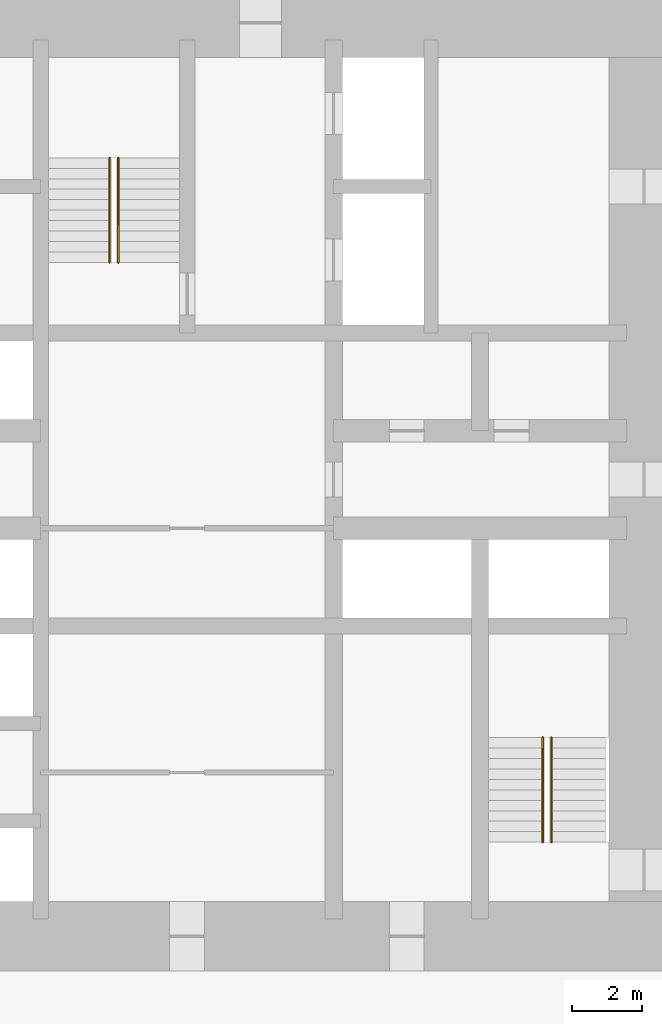
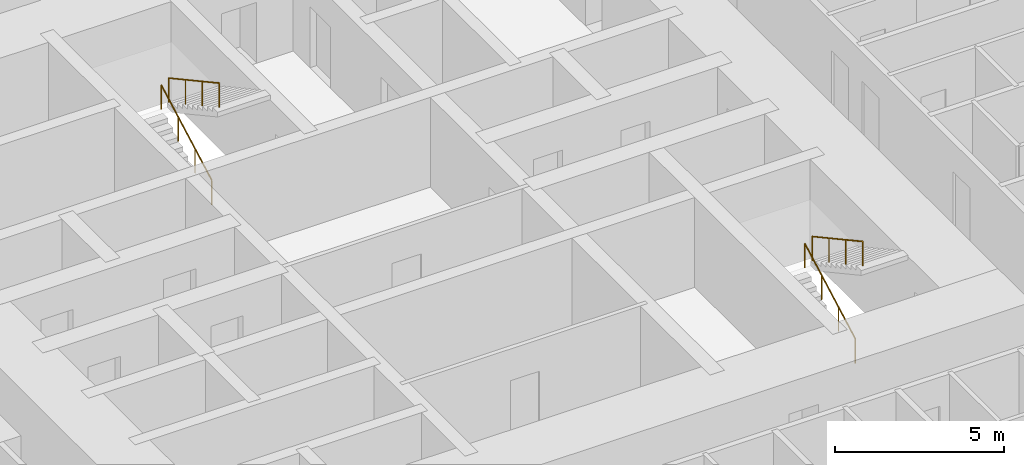
# One storey, part 18 of 18: 4 railings.
"""IFC4 building model written with IfcOpenShell, lengths in metres."""

from ifc_helpers import new_model, si_unit, direction, frame, origin, origin_2d, place, context, subcontext, project, spatial, circle, extrude, material, type_object, element, save


model = new_model("IFC4")

# Units and contexts
model_context = context("Model", 3, precision=1e-05, world=origin(), true_north=direction((0.0, 1.0)))
body_context = subcontext(model_context, "Body", "Model", "MODEL_VIEW")
ifc_project = project(units=[si_unit("LENGTHUNIT", "METRE"), si_unit("AREAUNIT", "SQUARE_METRE"), si_unit("VOLUMEUNIT", "CUBIC_METRE"), si_unit("PLANEANGLEUNIT", "RADIAN"), si_unit("MASSUNIT", "GRAM", prefix="KILO")], contexts=[model_context])

# Site, building, storey
site_placement = place(None, origin())
site = spatial("IfcSite", under=ifc_project, at=site_placement, CompositionType="ELEMENT")
building_placement = place(site_placement, origin())
building = spatial("IfcBuilding", under=site, at=building_placement, Name="Dunama Terrace Hotel", CompositionType="ELEMENT")
storey_placement = place(building_placement, frame((0.0, 0.0, 27.0)))
storey = spatial("IfcBuildingStorey", under=building, at=storey_placement, Name="L05", CompositionType="ELEMENT", Elevation=27.0)

# Railings
ifc_material = material(Name="Stainless steel handrail", Category="steel")
railing_type = type_object("IfcRailingType", Name="Stair handrail 900", PredefinedType="HANDRAIL", material=ifc_material)
railing_1_placement = place(storey_placement, frame((27.175048828125, 35.625, 0.16357421875)))
element("IfcRailing", 1, at=railing_1_placement, inside=storey, type_object=railing_type, Name="Handrail ST1 L05", PredefinedType="HANDRAIL", context=body_context, shape_type="SweptSolid", body=[
    extrude(circle(Radius=0.02392578125, at=origin_2d()), frame((0.0, 0.0, 0.8759765625), z_axis=(0.0, 0.877881921179, 0.478877158013), x_axis=(-1.0, 0.0, 0.0)), (0.0, 0.0, 1.0), 3.417236328125),
    extrude(circle(Radius=0.02099609375, at=origin_2d()), origin(), (0.0, 0.0, 1.0), 0.851806640625),
    extrude(circle(Radius=0.02099609375, at=origin_2d()), frame((0.0, 1.0, 0.54541015625)), (0.0, 0.0, 1.0), 0.851806640625),
    extrude(circle(Radius=0.02099609375, at=origin_2d()), frame((0.0, 2.0, 1.091064453125)), (0.0, 0.0, 1.0), 0.851806640625),
    extrude(circle(Radius=0.02099609375, at=origin_2d()), frame((0.0, 3.0, 1.636474609375)), (0.0, 0.0, 1.0), 0.851806640625),
])
railing_2_placement = place(storey_placement, frame((27.425048828125, 38.625, 1.963623046875)))
element("IfcRailing", 2, at=railing_2_placement, inside=storey, type_object=railing_type, Name="Handrail ST1 L05", PredefinedType="HANDRAIL", context=body_context, shape_type="SweptSolid", body=[
    extrude(circle(Radius=0.02392578125, at=origin_2d()), frame((0.0, 0.0, 0.8759765625), z_axis=(0.0, -0.877881921179, 0.478877158013), x_axis=(1.0, 0.0, 0.0)), (0.0, 0.0, 1.0), 3.417236328125),
    extrude(circle(Radius=0.02099609375, at=origin_2d()), origin(), (0.0, 0.0, 1.0), 0.851806640625),
    extrude(circle(Radius=0.02099609375, at=origin_2d()), frame((0.0, -1.0, 0.54541015625)), (0.0, 0.0, 1.0), 0.851806640625),
    extrude(circle(Radius=0.02099609375, at=origin_2d()), frame((0.0, -2.0, 1.091064453125)), (0.0, 0.0, 1.0), 0.851806640625),
    extrude(circle(Radius=0.02099609375, at=origin_2d()), frame((0.0, -3.0, 1.636474609375)), (0.0, 0.0, 1.0), 0.851806640625),
])
railing_3_placement = place(storey_placement, frame((39.60009765625, 19.0, 0.16357421875)))
element("IfcRailing", 3, at=railing_3_placement, inside=storey, type_object=railing_type, Name="Handrail ST2 L05", PredefinedType="HANDRAIL", context=body_context, shape_type="SweptSolid", body=[
    extrude(circle(Radius=0.02392578125, at=origin_2d()), frame((0.0, 0.0, 0.8759765625), z_axis=(0.0, 0.877881921179, 0.478877158013), x_axis=(-1.0, 0.0, 0.0)), (0.0, 0.0, 1.0), 3.417236328125),
    extrude(circle(Radius=0.02099609375, at=origin_2d()), origin(), (0.0, 0.0, 1.0), 0.851806640625),
    extrude(circle(Radius=0.02099609375, at=origin_2d()), frame((0.0, 1.0, 0.54541015625)), (0.0, 0.0, 1.0), 0.851806640625),
    extrude(circle(Radius=0.02099609375, at=origin_2d()), frame((0.0, 2.0, 1.091064453125)), (0.0, 0.0, 1.0), 0.851806640625),
    extrude(circle(Radius=0.02099609375, at=origin_2d()), frame((0.0, 3.0, 1.636474609375)), (0.0, 0.0, 1.0), 0.851806640625),
])
railing_4_placement = place(storey_placement, frame((39.85009765625, 22.0, 1.963623046875)))
element("IfcRailing", 4, at=railing_4_placement, inside=storey, type_object=railing_type, Name="Handrail ST2 L05", PredefinedType="HANDRAIL", context=body_context, shape_type="SweptSolid", body=[
    extrude(circle(Radius=0.02392578125, at=origin_2d()), frame((0.0, 0.0, 0.8759765625), z_axis=(0.0, -0.877881921179, 0.478877158013), x_axis=(1.0, 0.0, 0.0)), (0.0, 0.0, 1.0), 3.417236328125),
    extrude(circle(Radius=0.02099609375, at=origin_2d()), origin(), (0.0, 0.0, 1.0), 0.851806640625),
    extrude(circle(Radius=0.02099609375, at=origin_2d()), frame((0.0, -1.0, 0.54541015625)), (0.0, 0.0, 1.0), 0.851806640625),
    extrude(circle(Radius=0.02099609375, at=origin_2d()), frame((0.0, -2.0, 1.091064453125)), (0.0, 0.0, 1.0), 0.851806640625),
    extrude(circle(Radius=0.02099609375, at=origin_2d()), frame((0.0, -3.0, 1.636474609375)), (0.0, 0.0, 1.0), 0.851806640625),
])

save(model, "model.ifc")
